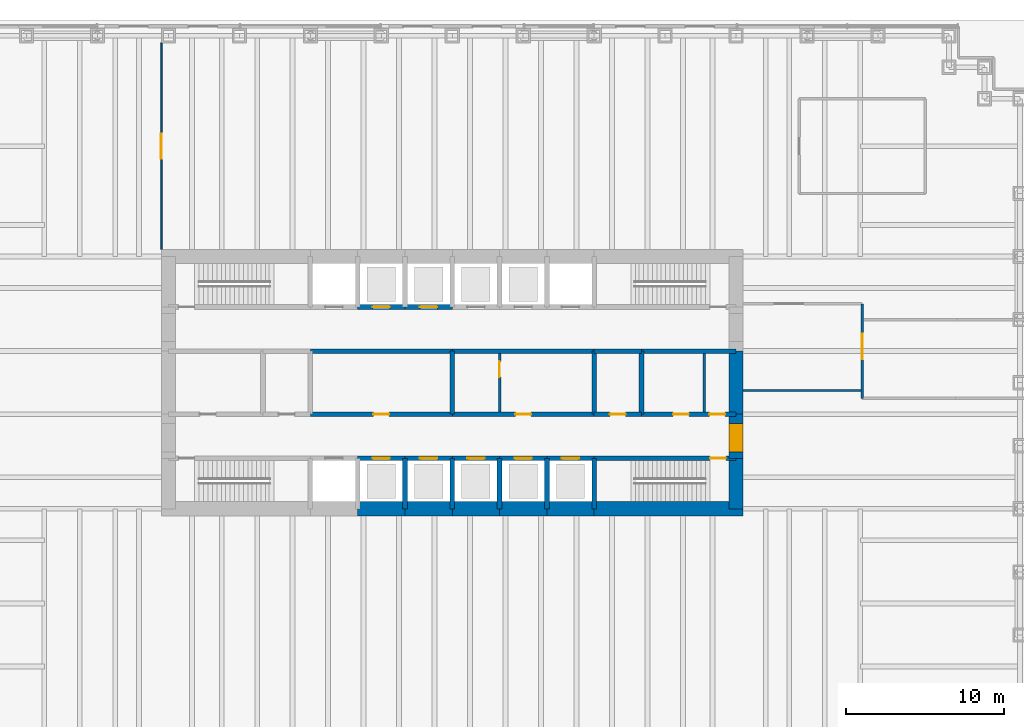
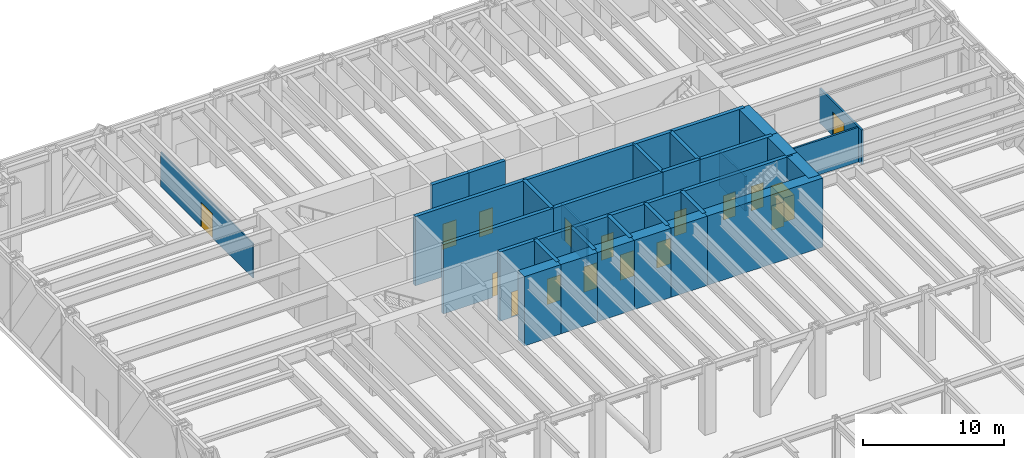
# One storey, part 13 of 17: 38 walls, 17 doors, 17 openings.
"""IFC4 building model written with IfcOpenShell, lengths in metres."""

from ifc_helpers import new_model, si_unit, direction, frame, frame_2d, origin, place, context, subcontext, project, spatial, rectangle, extrude, material, layer, layer_set, type_object, element, fill, save


model = new_model("IFC4")

# Units and contexts
model_context = context("Model", 3, precision=1e-05, world=origin(), true_north=direction((0.0, 1.0)))
body_context = subcontext(model_context, "Body", "Model", "MODEL_VIEW")
ifc_project = project(units=[si_unit("LENGTHUNIT", "METRE"), si_unit("AREAUNIT", "SQUARE_METRE"), si_unit("VOLUMEUNIT", "CUBIC_METRE"), si_unit("PLANEANGLEUNIT", "RADIAN"), si_unit("MASSUNIT", "GRAM", prefix="KILO")], contexts=[model_context])

# Site, building, storey
site_placement = place(None, origin())
site = spatial("IfcSite", under=ifc_project, at=site_placement, CompositionType="ELEMENT")
building_placement = place(site_placement, origin())
building = spatial("IfcBuilding", under=site, at=building_placement, Name="Rheinbord Bourse Tower", CompositionType="ELEMENT")
storey_placement = place(building_placement, origin())
storey = spatial("IfcBuildingStorey", under=building, at=storey_placement, Name="L00", CompositionType="ELEMENT", Elevation=0.0)

# Wall, opening, door
ifc_material_1 = material(Name="Concrete C50/60", Category="concrete")
ifc_layer_1 = layer(ifc_material_1, 0.300048828125)
ifc_layer_set_1 = layer_set([ifc_layer_1], Name="CORE INNER WALL 300")
wall_type_1 = type_object("IfcWallType", Name="CORE INNER WALL 300", PredefinedType="SOLIDWALL", material=ifc_layer_set_1)
wall_1_placement = place(storey_placement, frame((30.0, 19.199951171875, 0.0), z_axis=(0.0, 0.0, 1.0), x_axis=(1.0, 0.0, 0.0)))
wall_1 = element("IfcWall", 1, at=wall_1_placement, inside=storey, type_object=wall_type_1, Name="Core wall A3 L00", PredefinedType="SOLIDWALL", context=body_context, shape_type="SweptSolid", body=[
    extrude(rectangle(XDim=3.0, YDim=0.300048828125, at=frame_2d((1.5, 0.0))), origin(), (0.0, 0.0, 1.0), 6.0),
])
opening_1_placement = place(wall_1_placement, frame((0.949951171875, 0.0, 0.0)))
opening_1 = element("IfcOpeningElement", 2, at=opening_1_placement, cuts=wall_1, Name="Opening PA1", PredefinedType="OPENING", context=body_context, shape_type="SweptSolid", body=[
    extrude(rectangle(XDim=1.10009765625, YDim=2.199951171875, at=frame_2d((0.550048828125, 1.10009765625))), frame((0.0, 0.159912109375, 0.0), z_axis=(0.0, -1.0, 0.0), x_axis=(1.0, 0.0, 0.0)), (0.0, 0.0, 1.0), 0.320068359375),
])
ifc_material_2 = material(Name="Steel landing door", Category="steel")
door_type_1 = type_object("IfcDoorType", Name="LIFT LANDING DOOR 1100", OperationType="DOUBLE_DOOR_SLIDING", PredefinedType="USERDEFINED", material=ifc_material_2)
door_1_placement = place(opening_1_placement, origin())
door_1 = element("IfcDoor", 3, at=door_1_placement, inside=storey, type_object=door_type_1, Name="Lift landing door PA1 L00", ObjectType="LIFT LANDING DOOR", OperationType="DOUBLE_DOOR_SLIDING", OverallHeight=2.199951171875, OverallWidth=1.10009765625, PredefinedType="USERDEFINED", context=body_context, shape_type="SweptSolid", body=[
    extrude(rectangle(XDim=1.10009765625, YDim=2.199951171875, at=frame_2d((0.550048828125, 1.10009765625))), frame((0.0, 0.02490234375, 0.0), z_axis=(0.0, -1.0, 0.0), x_axis=(1.0, 0.0, 0.0)), (0.0, 0.0, 1.0), 0.050048828125),
])
fill(opening_1, door_1)

wall_2_placement = place(storey_placement, frame((33.0, 19.199951171875, 0.0), z_axis=(0.0, 0.0, 1.0), x_axis=(1.0, 0.0, 0.0)))
wall_2 = element("IfcWall", 4, at=wall_2_placement, inside=storey, type_object=wall_type_1, Name="Core wall A4 L00", PredefinedType="SOLIDWALL", context=body_context, shape_type="SweptSolid", body=[
    extrude(rectangle(XDim=3.0, YDim=0.300048828125, at=frame_2d((1.5, 0.0))), origin(), (0.0, 0.0, 1.0), 6.0),
])
opening_2_placement = place(wall_2_placement, frame((0.949951171875, 0.0, 0.0)))
opening_2 = element("IfcOpeningElement", 5, at=opening_2_placement, cuts=wall_2, Name="Opening PA2", PredefinedType="OPENING", context=body_context, shape_type="SweptSolid", body=[
    extrude(rectangle(XDim=1.10009765625, YDim=2.199951171875, at=frame_2d((0.550048828125, 1.10009765625))), frame((0.0, 0.159912109375, 0.0), z_axis=(0.0, -1.0, 0.0), x_axis=(1.0, 0.0, 0.0)), (0.0, 0.0, 1.0), 0.320068359375),
])
door_2_placement = place(opening_2_placement, origin())
door_2 = element("IfcDoor", 6, at=door_2_placement, inside=storey, type_object=door_type_1, Name="Lift landing door PA2 L00", ObjectType="LIFT LANDING DOOR", OperationType="DOUBLE_DOOR_SLIDING", OverallHeight=2.199951171875, OverallWidth=1.10009765625, PredefinedType="USERDEFINED", context=body_context, shape_type="SweptSolid", body=[
    extrude(rectangle(XDim=1.10009765625, YDim=2.199951171875, at=frame_2d((0.550048828125, 1.10009765625))), frame((0.0, 0.02490234375, 0.0), z_axis=(0.0, -1.0, 0.0), x_axis=(1.0, 0.0, 0.0)), (0.0, 0.0, 1.0), 0.050048828125),
])
fill(opening_2, door_2)

wall_3_placement = place(storey_placement, frame((36.0, 19.199951171875, 0.0), z_axis=(0.0, 0.0, 1.0), x_axis=(1.0, 0.0, 0.0)))
wall_3 = element("IfcWall", 7, at=wall_3_placement, inside=storey, type_object=wall_type_1, Name="Core wall A5 L00", PredefinedType="SOLIDWALL", context=body_context, shape_type="SweptSolid", body=[
    extrude(rectangle(XDim=3.0, YDim=0.300048828125, at=frame_2d((1.5, 0.0))), origin(), (0.0, 0.0, 1.0), 6.0),
])
opening_3_placement = place(wall_3_placement, frame((0.949951171875, 0.0, 0.0)))
opening_3 = element("IfcOpeningElement", 8, at=opening_3_placement, cuts=wall_3, Name="Opening PA3", PredefinedType="OPENING", context=body_context, shape_type="SweptSolid", body=[
    extrude(rectangle(XDim=1.10009765625, YDim=2.199951171875, at=frame_2d((0.550048828125, 1.10009765625))), frame((0.0, 0.159912109375, 0.0), z_axis=(0.0, -1.0, 0.0), x_axis=(1.0, 0.0, 0.0)), (0.0, 0.0, 1.0), 0.320068359375),
])
door_3_placement = place(opening_3_placement, origin())
door_3 = element("IfcDoor", 9, at=door_3_placement, inside=storey, type_object=door_type_1, Name="Lift landing door PA3 L00", ObjectType="LIFT LANDING DOOR", OperationType="DOUBLE_DOOR_SLIDING", OverallHeight=2.199951171875, OverallWidth=1.10009765625, PredefinedType="USERDEFINED", context=body_context, shape_type="SweptSolid", body=[
    extrude(rectangle(XDim=1.10009765625, YDim=2.199951171875, at=frame_2d((0.550048828125, 1.10009765625))), frame((0.0, 0.02490234375, 0.0), z_axis=(0.0, -1.0, 0.0), x_axis=(1.0, 0.0, 0.0)), (0.0, 0.0, 1.0), 0.050048828125),
])
fill(opening_3, door_3)

wall_4_placement = place(storey_placement, frame((39.0, 19.199951171875, 0.0), z_axis=(0.0, 0.0, 1.0), x_axis=(1.0, 0.0, 0.0)))
wall_4 = element("IfcWall", 10, at=wall_4_placement, inside=storey, type_object=wall_type_1, Name="Core wall A6 L00", PredefinedType="SOLIDWALL", context=body_context, shape_type="SweptSolid", body=[
    extrude(rectangle(XDim=3.0, YDim=0.300048828125, at=frame_2d((1.5, 0.0))), origin(), (0.0, 0.0, 1.0), 6.0),
])
opening_4_placement = place(wall_4_placement, frame((0.949951171875, 0.0, 0.0)))
opening_4 = element("IfcOpeningElement", 11, at=opening_4_placement, cuts=wall_4, Name="Opening SL1", PredefinedType="OPENING", context=body_context, shape_type="SweptSolid", body=[
    extrude(rectangle(XDim=1.10009765625, YDim=2.199951171875, at=frame_2d((0.550048828125, 1.10009765625))), frame((0.0, 0.159912109375, 0.0), z_axis=(0.0, -1.0, 0.0), x_axis=(1.0, 0.0, 0.0)), (0.0, 0.0, 1.0), 0.320068359375),
])
door_4_placement = place(opening_4_placement, origin())
door_4 = element("IfcDoor", 12, at=door_4_placement, inside=storey, type_object=door_type_1, Name="Lift landing door SL1 L00", ObjectType="LIFT LANDING DOOR", OperationType="DOUBLE_DOOR_SLIDING", OverallHeight=2.199951171875, OverallWidth=1.10009765625, PredefinedType="USERDEFINED", context=body_context, shape_type="SweptSolid", body=[
    extrude(rectangle(XDim=1.10009765625, YDim=2.199951171875, at=frame_2d((0.550048828125, 1.10009765625))), frame((0.0, 0.02490234375, 0.0), z_axis=(0.0, -1.0, 0.0), x_axis=(1.0, 0.0, 0.0)), (0.0, 0.0, 1.0), 0.050048828125),
])
fill(opening_4, door_4)

wall_5_placement = place(storey_placement, frame((42.0, 19.199951171875, 0.0), z_axis=(0.0, 0.0, 1.0), x_axis=(1.0, 0.0, 0.0)))
wall_5 = element("IfcWall", 13, at=wall_5_placement, inside=storey, type_object=wall_type_1, Name="Core wall A7 L00", PredefinedType="SOLIDWALL", context=body_context, shape_type="SweptSolid", body=[
    extrude(rectangle(XDim=3.0, YDim=0.300048828125, at=frame_2d((1.5, 0.0))), origin(), (0.0, 0.0, 1.0), 6.0),
])
opening_5_placement = place(wall_5_placement, frame((0.949951171875, 0.0, 0.0)))
opening_5 = element("IfcOpeningElement", 14, at=opening_5_placement, cuts=wall_5, Name="Opening SL2", PredefinedType="OPENING", context=body_context, shape_type="SweptSolid", body=[
    extrude(rectangle(XDim=1.10009765625, YDim=2.199951171875, at=frame_2d((0.550048828125, 1.10009765625))), frame((0.0, 0.159912109375, 0.0), z_axis=(0.0, -1.0, 0.0), x_axis=(1.0, 0.0, 0.0)), (0.0, 0.0, 1.0), 0.320068359375),
])
door_5_placement = place(opening_5_placement, origin())
door_5 = element("IfcDoor", 15, at=door_5_placement, inside=storey, type_object=door_type_1, Name="Lift landing door SL2 L00", ObjectType="LIFT LANDING DOOR", OperationType="DOUBLE_DOOR_SLIDING", OverallHeight=2.199951171875, OverallWidth=1.10009765625, PredefinedType="USERDEFINED", context=body_context, shape_type="SweptSolid", body=[
    extrude(rectangle(XDim=1.10009765625, YDim=2.199951171875, at=frame_2d((0.550048828125, 1.10009765625))), frame((0.0, 0.02490234375, 0.0), z_axis=(0.0, -1.0, 0.0), x_axis=(1.0, 0.0, 0.0)), (0.0, 0.0, 1.0), 0.050048828125),
])
fill(opening_5, door_5)

wall_6_placement = place(storey_placement, frame((45.0, 19.199951171875, 0.0), z_axis=(0.0, 0.0, 1.0), x_axis=(1.0, 0.0, 0.0)))
wall_6 = element("IfcWall", 16, at=wall_6_placement, inside=storey, type_object=wall_type_1, Name="Core wall A8 L00", PredefinedType="SOLIDWALL", context=body_context, shape_type="SweptSolid", body=[
    extrude(rectangle(XDim=9.0, YDim=0.300048828125, at=frame_2d((4.5, 0.0))), origin(), (0.0, 0.0, 1.0), 6.0),
])
opening_6_placement = place(wall_6_placement, frame((7.35009765625, 0.0, 0.0)))
opening_6 = element("IfcOpeningElement", 17, at=opening_6_placement, cuts=wall_6, Name="Opening 0030", PredefinedType="OPENING", context=body_context, shape_type="SweptSolid", body=[
    extrude(rectangle(XDim=1.0, YDim=2.10009765625, at=frame_2d((0.5, 1.050048828125))), frame((0.0, 0.159912109375, 0.0), z_axis=(0.0, -1.0, 0.0), x_axis=(1.0, 0.0, 0.0)), (0.0, 0.0, 1.0), 0.320068359375),
])
ifc_material_3 = material(Name="Steel door", Category="steel")
door_type_2 = type_object("IfcDoorType", Name="DOOR 1000 EI30", OperationType="SINGLE_SWING_LEFT", PredefinedType="DOOR", material=ifc_material_3)
door_6_placement = place(opening_6_placement, origin())
door_6 = element("IfcDoor", 18, at=door_6_placement, inside=storey, type_object=door_type_2, Name="Stair door ST3 L00", OperationType="SINGLE_SWING_RIGHT", OverallHeight=2.10009765625, OverallWidth=1.0, PredefinedType="DOOR", context=body_context, shape_type="SweptSolid", body=[
    extrude(rectangle(XDim=1.0, YDim=2.10009765625, at=frame_2d((0.5, 1.050048828125))), frame((0.0, 0.02490234375, 0.0), z_axis=(0.0, -1.0, 0.0), x_axis=(1.0, 0.0, 0.0)), (0.0, 0.0, 1.0), 0.050048828125),
])
fill(opening_6, door_6)

wall_7_placement = place(storey_placement, frame((30.0, 28.800048828125, 0.0), z_axis=(0.0, 0.0, 1.0), x_axis=(1.0, 0.0, 0.0)))
wall_7 = element("IfcWall", 19, at=wall_7_placement, inside=storey, type_object=wall_type_1, Name="Core wall B3 L00", PredefinedType="SOLIDWALL", context=body_context, shape_type="SweptSolid", body=[
    extrude(rectangle(XDim=3.0, YDim=0.300048828125, at=frame_2d((1.5, 0.0))), origin(), (0.0, 0.0, 1.0), 6.0),
])
opening_7_placement = place(wall_7_placement, frame((0.949951171875, 0.0, 0.0)))
opening_7 = element("IfcOpeningElement", 20, at=opening_7_placement, cuts=wall_7, Name="Opening PA4", PredefinedType="OPENING", context=body_context, shape_type="SweptSolid", body=[
    extrude(rectangle(XDim=1.10009765625, YDim=2.199951171875, at=frame_2d((0.550048828125, 1.10009765625))), frame((0.0, 0.159912109375, 0.0), z_axis=(0.0, -1.0, 0.0), x_axis=(1.0, 0.0, 0.0)), (0.0, 0.0, 1.0), 0.320068359375),
])
door_7_placement = place(opening_7_placement, origin())
door_7 = element("IfcDoor", 21, at=door_7_placement, inside=storey, type_object=door_type_1, Name="Lift landing door PA4 L00", ObjectType="LIFT LANDING DOOR", OperationType="DOUBLE_DOOR_SLIDING", OverallHeight=2.199951171875, OverallWidth=1.10009765625, PredefinedType="USERDEFINED", context=body_context, shape_type="SweptSolid", body=[
    extrude(rectangle(XDim=1.10009765625, YDim=2.199951171875, at=frame_2d((0.550048828125, 1.10009765625))), frame((0.0, 0.02490234375, 0.0), z_axis=(0.0, -1.0, 0.0), x_axis=(1.0, 0.0, 0.0)), (0.0, 0.0, 1.0), 0.050048828125),
])
fill(opening_7, door_7)

wall_8_placement = place(storey_placement, frame((33.0, 28.800048828125, 0.0), z_axis=(0.0, 0.0, 1.0), x_axis=(1.0, 0.0, 0.0)))
wall_8 = element("IfcWall", 22, at=wall_8_placement, inside=storey, type_object=wall_type_1, Name="Core wall B4 L00", PredefinedType="SOLIDWALL", context=body_context, shape_type="SweptSolid", body=[
    extrude(rectangle(XDim=3.0, YDim=0.300048828125, at=frame_2d((1.5, 0.0))), origin(), (0.0, 0.0, 1.0), 6.0),
])
opening_8_placement = place(wall_8_placement, frame((0.949951171875, 0.0, 0.0)))
opening_8 = element("IfcOpeningElement", 23, at=opening_8_placement, cuts=wall_8, Name="Opening PA5", PredefinedType="OPENING", context=body_context, shape_type="SweptSolid", body=[
    extrude(rectangle(XDim=1.10009765625, YDim=2.199951171875, at=frame_2d((0.550048828125, 1.10009765625))), frame((0.0, 0.159912109375, 0.0), z_axis=(0.0, -1.0, 0.0), x_axis=(1.0, 0.0, 0.0)), (0.0, 0.0, 1.0), 0.320068359375),
])
door_8_placement = place(opening_8_placement, origin())
door_8 = element("IfcDoor", 24, at=door_8_placement, inside=storey, type_object=door_type_1, Name="Lift landing door PA5 L00", ObjectType="LIFT LANDING DOOR", OperationType="DOUBLE_DOOR_SLIDING", OverallHeight=2.199951171875, OverallWidth=1.10009765625, PredefinedType="USERDEFINED", context=body_context, shape_type="SweptSolid", body=[
    extrude(rectangle(XDim=1.10009765625, YDim=2.199951171875, at=frame_2d((0.550048828125, 1.10009765625))), frame((0.0, 0.02490234375, 0.0), z_axis=(0.0, -1.0, 0.0), x_axis=(1.0, 0.0, 0.0)), (0.0, 0.0, 1.0), 0.050048828125),
])
fill(opening_8, door_8)

wall_9_placement = place(storey_placement, frame((27.0, 22.0, 0.0), z_axis=(0.0, 0.0, 1.0), x_axis=(1.0, 0.0, 0.0)))
wall_9 = element("IfcWall", 25, at=wall_9_placement, inside=storey, type_object=wall_type_1, Name="Core wall C3 L00", PredefinedType="SOLIDWALL", context=body_context, shape_type="SweptSolid", body=[
    extrude(rectangle(XDim=9.0, YDim=0.300048828125, at=frame_2d((4.5, 0.0))), origin(), (0.0, 0.0, 1.0), 6.0),
])
opening_9_placement = place(wall_9_placement, frame((4.0, 0.0, 0.0)))
opening_9 = element("IfcOpeningElement", 26, at=opening_9_placement, cuts=wall_9, Name="Opening 00R3", PredefinedType="OPENING", context=body_context, shape_type="SweptSolid", body=[
    extrude(rectangle(XDim=1.0, YDim=2.10009765625, at=frame_2d((0.5, 1.050048828125))), frame((0.0, 0.159912109375, 0.0), z_axis=(0.0, -1.0, 0.0), x_axis=(1.0, 0.0, 0.0)), (0.0, 0.0, 1.0), 0.320068359375),
])
door_9_placement = place(opening_9_placement, origin())
door_9 = element("IfcDoor", 27, at=door_9_placement, inside=storey, type_object=door_type_2, Name="Riser door L00", OperationType="SINGLE_SWING_LEFT", OverallHeight=2.10009765625, OverallWidth=1.0, PredefinedType="DOOR", context=body_context, shape_type="SweptSolid", body=[
    extrude(rectangle(XDim=1.0, YDim=2.10009765625, at=frame_2d((0.5, 1.050048828125))), frame((0.0, 0.02490234375, 0.0), z_axis=(0.0, -1.0, 0.0), x_axis=(1.0, 0.0, 0.0)), (0.0, 0.0, 1.0), 0.050048828125),
])
fill(opening_9, door_9)

wall_10_placement = place(storey_placement, frame((36.0, 22.0, 0.0), z_axis=(0.0, 0.0, 1.0), x_axis=(1.0, 0.0, 0.0)))
wall_10 = element("IfcWall", 28, at=wall_10_placement, inside=storey, type_object=wall_type_1, Name="Core wall C4 L00", PredefinedType="SOLIDWALL", context=body_context, shape_type="SweptSolid", body=[
    extrude(rectangle(XDim=9.0, YDim=0.300048828125, at=frame_2d((4.5, 0.0))), origin(), (0.0, 0.0, 1.0), 6.0),
])
opening_10_placement = place(wall_10_placement, frame((4.0, 0.0, 0.0)))
opening_10 = element("IfcOpeningElement", 29, at=opening_10_placement, cuts=wall_10, Name="Opening 00R4", PredefinedType="OPENING", context=body_context, shape_type="SweptSolid", body=[
    extrude(rectangle(XDim=1.0, YDim=2.10009765625, at=frame_2d((0.5, 1.050048828125))), frame((0.0, 0.159912109375, 0.0), z_axis=(0.0, -1.0, 0.0), x_axis=(1.0, 0.0, 0.0)), (0.0, 0.0, 1.0), 0.320068359375),
])
door_10_placement = place(opening_10_placement, origin())
door_10 = element("IfcDoor", 30, at=door_10_placement, inside=storey, type_object=door_type_2, Name="Pantry door L00", OperationType="SINGLE_SWING_LEFT", OverallHeight=2.10009765625, OverallWidth=1.0, PredefinedType="DOOR", context=body_context, shape_type="SweptSolid", body=[
    extrude(rectangle(XDim=1.0, YDim=2.10009765625, at=frame_2d((0.5, 1.050048828125))), frame((0.0, 0.02490234375, 0.0), z_axis=(0.0, -1.0, 0.0), x_axis=(1.0, 0.0, 0.0)), (0.0, 0.0, 1.0), 0.050048828125),
])
fill(opening_10, door_10)

wall_11_placement = place(storey_placement, frame((45.0, 22.0, 0.0), z_axis=(0.0, 0.0, 1.0), x_axis=(1.0, 0.0, 0.0)))
wall_11 = element("IfcWall", 31, at=wall_11_placement, inside=storey, type_object=wall_type_1, Name="Core wall C5 L00", PredefinedType="SOLIDWALL", context=body_context, shape_type="SweptSolid", body=[
    extrude(rectangle(XDim=3.0, YDim=0.300048828125, at=frame_2d((1.5, 0.0))), origin(), (0.0, 0.0, 1.0), 6.0),
])
opening_11_placement = place(wall_11_placement, frame((1.0, 0.0, 0.0)))
opening_11 = element("IfcOpeningElement", 32, at=opening_11_placement, cuts=wall_11, Name="Opening 00R5", PredefinedType="OPENING", context=body_context, shape_type="SweptSolid", body=[
    extrude(rectangle(XDim=1.0, YDim=2.10009765625, at=frame_2d((0.5, 1.050048828125))), frame((0.0, 0.159912109375, 0.0), z_axis=(0.0, -1.0, 0.0), x_axis=(1.0, 0.0, 0.0)), (0.0, 0.0, 1.0), 0.320068359375),
])
ifc_material_4 = material(Name="Timber door", Category="wood")
door_type_3 = type_object("IfcDoorType", Name="DOOR 1000 WC", OperationType="SINGLE_SWING_LEFT", PredefinedType="DOOR", material=ifc_material_4)
door_11_placement = place(opening_11_placement, origin())
door_11 = element("IfcDoor", 33, at=door_11_placement, inside=storey, type_object=door_type_3, Name="Accessible WC door L00", OperationType="SINGLE_SWING_LEFT", OverallHeight=2.10009765625, OverallWidth=1.0, PredefinedType="DOOR", context=body_context, shape_type="SweptSolid", body=[
    extrude(rectangle(XDim=1.0, YDim=2.10009765625, at=frame_2d((0.5, 1.050048828125))), frame((0.0, 0.02490234375, 0.0), z_axis=(0.0, -1.0, 0.0), x_axis=(1.0, 0.0, 0.0)), (0.0, 0.0, 1.0), 0.050048828125),
])
fill(opening_11, door_11)

# Wall, openings, doors
wall_12_placement = place(storey_placement, frame((48.0, 22.0, 0.0), z_axis=(0.0, 0.0, 1.0), x_axis=(1.0, 0.0, 0.0)))
wall_12 = element("IfcWall", 34, at=wall_12_placement, inside=storey, type_object=wall_type_1, Name="Core wall C6 L00", PredefinedType="SOLIDWALL", context=body_context, shape_type="SweptSolid", body=[
    extrude(rectangle(XDim=6.0, YDim=0.300048828125, at=frame_2d((3.0, 0.0))), origin(), (0.0, 0.0, 1.0), 6.0),
])
opening_12_placement = place(wall_12_placement, frame((2.0, 0.0, 0.0)))
opening_12 = element("IfcOpeningElement", 35, at=opening_12_placement, cuts=wall_12, Name="Opening 00R6", PredefinedType="OPENING", context=body_context, shape_type="SweptSolid", body=[
    extrude(rectangle(XDim=1.0, YDim=2.10009765625, at=frame_2d((0.5, 1.050048828125))), frame((0.0, 0.159912109375, 0.0), z_axis=(0.0, -1.0, 0.0), x_axis=(1.0, 0.0, 0.0)), (0.0, 0.0, 1.0), 0.320068359375),
])
opening_13_placement = place(wall_12_placement, frame((4.300048828125, 0.0, 0.0)))
opening_13 = element("IfcOpeningElement", 36, at=opening_13_placement, cuts=wall_12, Name="Opening 00R10", PredefinedType="OPENING", context=body_context, shape_type="SweptSolid", body=[
    extrude(rectangle(XDim=1.0, YDim=2.10009765625, at=frame_2d((0.5, 1.050048828125))), frame((0.0, 0.159912109375, 0.0), z_axis=(0.0, -1.0, 0.0), x_axis=(1.0, 0.0, 0.0)), (0.0, 0.0, 1.0), 0.320068359375),
])
door_12_placement = place(opening_13_placement, origin())
door_12 = element("IfcDoor", 37, at=door_12_placement, inside=storey, type_object=door_type_2, Name="Baby change door L00", OperationType="SINGLE_SWING_RIGHT", OverallHeight=2.10009765625, OverallWidth=1.0, PredefinedType="DOOR", context=body_context, shape_type="SweptSolid", body=[
    extrude(rectangle(XDim=1.0, YDim=2.10009765625, at=frame_2d((0.5, 1.050048828125))), frame((0.0, 0.02490234375, 0.0), z_axis=(0.0, -1.0, 0.0), x_axis=(1.0, 0.0, 0.0)), (0.0, 0.0, 1.0), 0.050048828125),
])
fill(opening_13, door_12)
door_13_placement = place(opening_12_placement, origin())
door_13 = element("IfcDoor", 38, at=door_13_placement, inside=storey, type_object=door_type_3, Name="WC women door L00", OperationType="SINGLE_SWING_LEFT", OverallHeight=2.10009765625, OverallWidth=1.0, PredefinedType="DOOR", context=body_context, shape_type="SweptSolid", body=[
    extrude(rectangle(XDim=1.0, YDim=2.10009765625, at=frame_2d((0.5, 1.050048828125))), frame((0.0, 0.02490234375, 0.0), z_axis=(0.0, -1.0, 0.0), x_axis=(1.0, 0.0, 0.0)), (0.0, 0.0, 1.0), 0.050048828125),
])
fill(opening_12, door_13)

# Walls
for number, where, z_axis, x_axis, name in (
    (39, (27.0, 26.0, 0.0), (0.0, 0.0, 1.0), (1.0, 0.0, 0.0), "Core wall D3 L00"),
    (40, (36.0, 26.0, 0.0), (0.0, 0.0, 1.0), (1.0, 0.0, 0.0), "Core wall D4 L00"),
):
    element("IfcWall", number, at=place(storey_placement, frame(where, z_axis=z_axis, x_axis=x_axis)), inside=storey, type_object=wall_type_1, Name=name, PredefinedType="SOLIDWALL", context=body_context, shape_type="SweptSolid", body=[
        extrude(rectangle(XDim=9.0, YDim=0.300048828125, at=frame_2d((4.5, 0.0))), origin(), (0.0, 0.0, 1.0), 6.0),
    ])
wall_13_placement = place(storey_placement, frame((45.0, 26.0, 0.0), z_axis=(0.0, 0.0, 1.0), x_axis=(1.0, 0.0, 0.0)))
element("IfcWall", 41, at=wall_13_placement, inside=storey, type_object=wall_type_1, Name="Core wall D5 L00", PredefinedType="SOLIDWALL", context=body_context, shape_type="SweptSolid", body=[
    extrude(rectangle(XDim=3.0, YDim=0.300048828125, at=frame_2d((1.5, 0.0))), origin(), (0.0, 0.0, 1.0), 6.0),
])
wall_14_placement = place(storey_placement, frame((48.0, 26.0, 0.0), z_axis=(0.0, 0.0, 1.0), x_axis=(1.0, 0.0, 0.0)))
element("IfcWall", 42, at=wall_14_placement, inside=storey, type_object=wall_type_1, Name="Core wall D6 L00", PredefinedType="SOLIDWALL", context=body_context, shape_type="SweptSolid", body=[
    extrude(rectangle(XDim=6.0, YDim=0.300048828125, at=frame_2d((3.0, 0.0))), origin(), (0.0, 0.0, 1.0), 6.0),
])
for number, where, z_axis, x_axis, name in (
    (43, (33.0, 16.0, 0.0), (0.0, 0.0, 1.0), (0.0, 1.0, 0.0), "Core wall SX33 L00"),
    (44, (36.0, 16.0, 0.0), (0.0, 0.0, 1.0), (0.0, 1.0, 0.0), "Core wall SX36 L00"),
    (45, (39.0, 16.0, 0.0), (0.0, 0.0, 1.0), (0.0, 1.0, 0.0), "Core wall SX39 L00"),
    (46, (42.0, 16.0, 0.0), (0.0, 0.0, 1.0), (0.0, 1.0, 0.0), "Core wall SX42 L00"),
    (47, (45.0, 16.0, 0.0), (0.0, 0.0, 1.0), (0.0, 1.0, 0.0), "Core wall SX45 L00"),
):
    element("IfcWall", number, at=place(storey_placement, frame(where, z_axis=z_axis, x_axis=x_axis)), inside=storey, type_object=wall_type_1, Name=name, PredefinedType="SOLIDWALL", context=body_context, shape_type="SweptSolid", body=[
        extrude(rectangle(XDim=3.199951171875, YDim=0.300048828125, at=frame_2d((1.60009765625, 0.0))), origin(), (0.0, 0.0, 1.0), 6.0),
    ])
for number, where, z_axis, x_axis, name in (
    (48, (36.0, 22.0, 0.0), (0.0, 0.0, 1.0), (0.0, 1.0, 0.0), "Core wall MX36 L00"),
    (49, (45.0, 22.0, 0.0), (0.0, 0.0, 1.0), (0.0, 1.0, 0.0), "Core wall MX45 L00"),
    (50, (48.0, 22.0, 0.0), (0.0, 0.0, 1.0), (0.0, 1.0, 0.0), "Core wall MX48 L00"),
):
    element("IfcWall", number, at=place(storey_placement, frame(where, z_axis=z_axis, x_axis=x_axis)), inside=storey, type_object=wall_type_1, Name=name, PredefinedType="SOLIDWALL", context=body_context, shape_type="SweptSolid", body=[
        extrude(rectangle(XDim=4.0, YDim=0.300048828125, at=frame_2d((2.0, 0.0))), origin(), (0.0, 0.0, 1.0), 6.0),
    ])

# Wall, opening, door
ifc_material_5 = material(Name="Gypsum board fire partition", Category="gypsum board")
ifc_layer_2 = layer(ifc_material_5, 0.14990234375)
ifc_layer_set_2 = layer_set([ifc_layer_2], Name="CORE PARTITION 150 EI30")
wall_type_2 = type_object("IfcWallType", Name="CORE PARTITION 150 EI30", PredefinedType="PARTITIONING", material=ifc_layer_set_2)
wall_15_placement = place(storey_placement, frame((39.0, 22.14990234375, 0.0), z_axis=(0.0, 0.0, 1.0), x_axis=(0.0, 1.0, 0.0)))
wall_15 = element("IfcWall", 51, at=wall_15_placement, inside=storey, type_object=wall_type_2, Name="Core partition L00-1", PredefinedType="PARTITIONING", context=body_context, shape_type="SweptSolid", body=[
    extrude(rectangle(XDim=3.7001953125, YDim=0.14990234375, at=frame_2d((1.85009765625, 0.0))), origin(), (0.0, 0.0, 1.0), 3.0),
])
opening_14_placement = place(wall_15_placement, frame((2.199951171875, 0.0, 0.0)))
opening_14 = element("IfcOpeningElement", 52, at=opening_14_placement, cuts=wall_15, Name="Opening 00R7", PredefinedType="OPENING", context=body_context, shape_type="SweptSolid", body=[
    extrude(rectangle(XDim=1.0, YDim=2.10009765625, at=frame_2d((0.5, 1.050048828125))), frame((0.0, 0.0849609375, 0.0), z_axis=(0.0, -1.0, 0.0), x_axis=(1.0, 0.0, 0.0)), (0.0, 0.0, 1.0), 0.169921875),
])
door_14_placement = place(opening_14_placement, origin())
door_14 = element("IfcDoor", 53, at=door_14_placement, inside=storey, type_object=door_type_2, Name="Cleaner's store door L00", OperationType="SINGLE_SWING_RIGHT", OverallHeight=2.10009765625, OverallWidth=1.0, PredefinedType="DOOR", context=body_context, shape_type="SweptSolid", body=[
    extrude(rectangle(XDim=1.0, YDim=2.10009765625, at=frame_2d((0.5, 1.050048828125))), frame((0.0, 0.02490234375, 0.0), z_axis=(0.0, -1.0, 0.0), x_axis=(1.0, 0.0, 0.0)), (0.0, 0.0, 1.0), 0.050048828125),
])
fill(opening_14, door_14)

# Walls
wall_16_placement = place(storey_placement, frame((51.97509765625, 22.14990234375, 0.0), z_axis=(0.0, 0.0, 1.0), x_axis=(0.0, 1.0, 0.0)))
element("IfcWall", 54, at=wall_16_placement, inside=storey, type_object=wall_type_2, Name="Core partition L00-3", PredefinedType="PARTITIONING", context=body_context, shape_type="SweptSolid", body=[
    extrude(rectangle(XDim=3.7001953125, YDim=0.14990234375, at=frame_2d((1.85009765625, 0.0))), origin(), (0.0, 0.0, 1.0), 3.0),
])
ifc_material_6 = material(Name="Concrete C50/60", Category="concrete")
ifc_layer_3 = layer(ifc_material_6, 0.89990234375)
ifc_layer_set_3 = layer_set([ifc_layer_3], Name="CORE WALL 900")
wall_type_3 = type_object("IfcWallType", Name="CORE WALL 900", PredefinedType="SHEAR", material=ifc_layer_set_3)
for number, where, z_axis, x_axis, name in (
    (55, (30.0, 16.0, 0.0), (0.0, 0.0, 1.0), (1.0, 0.0, 0.0), "Core wall S3 L00"),
    (56, (33.0, 16.0, 0.0), (0.0, 0.0, 1.0), (1.0, 0.0, 0.0), "Core wall S4 L00"),
    (57, (36.0, 16.0, 0.0), (0.0, 0.0, 1.0), (1.0, 0.0, 0.0), "Core wall S5 L00"),
    (58, (39.0, 16.0, 0.0), (0.0, 0.0, 1.0), (1.0, 0.0, 0.0), "Core wall S6 L00"),
    (59, (42.0, 16.0, 0.0), (0.0, 0.0, 1.0), (1.0, 0.0, 0.0), "Core wall S7 L00"),
):
    element("IfcWall", number, at=place(storey_placement, frame(where, z_axis=z_axis, x_axis=x_axis)), inside=storey, type_object=wall_type_3, Name=name, PredefinedType="SHEAR", context=body_context, shape_type="SweptSolid", body=[
        extrude(rectangle(XDim=3.0, YDim=0.89990234375, at=frame_2d((1.5, 0.0))), origin(), (0.0, 0.0, 1.0), 6.0),
    ])
wall_17_placement = place(storey_placement, frame((45.0, 16.0, 0.0), z_axis=(0.0, 0.0, 1.0), x_axis=(1.0, 0.0, 0.0)))
element("IfcWall", 60, at=wall_17_placement, inside=storey, type_object=wall_type_3, Name="Core wall S8 L00", PredefinedType="SHEAR", context=body_context, shape_type="SweptSolid", body=[
    extrude(rectangle(XDim=9.449951171875, YDim=0.89990234375, at=frame_2d((4.72509765625, 0.0))), origin(), (0.0, 0.0, 1.0), 6.0),
])
wall_18_placement = place(storey_placement, frame((54.0, 16.0, 0.0), z_axis=(0.0, 0.0, 1.0), x_axis=(0.0, 1.0, 0.0)))
element("IfcWall", 61, at=wall_18_placement, inside=storey, type_object=wall_type_3, Name="Core wall E1 L00", PredefinedType="SHEAR", context=body_context, shape_type="SweptSolid", body=[
    extrude(rectangle(XDim=3.199951171875, YDim=0.89990234375, at=frame_2d((1.60009765625, 0.0))), origin(), (0.0, 0.0, 1.0), 6.0),
])

# Wall, opening, door
wall_19_placement = place(storey_placement, frame((54.0, 19.199951171875, 0.0), z_axis=(0.0, 0.0, 1.0), x_axis=(0.0, 1.0, 0.0)))
wall_19 = element("IfcWall", 62, at=wall_19_placement, inside=storey, type_object=wall_type_3, Name="Core wall E2 L00", PredefinedType="SHEAR", context=body_context, shape_type="SweptSolid", body=[
    extrude(rectangle(XDim=2.800048828125, YDim=0.89990234375, at=frame_2d((1.39990234375, 0.0))), origin(), (0.0, 0.0, 1.0), 6.0),
])
opening_15_placement = place(wall_19_placement, frame((0.39990234375, 0.0, 0.0)))
opening_15 = element("IfcOpeningElement", 63, at=opening_15_placement, cuts=wall_19, Name="Opening 00L3", PredefinedType="OPENING", context=body_context, shape_type="SweptSolid", body=[
    extrude(rectangle(XDim=1.800048828125, YDim=2.10009765625, at=frame_2d((0.89990234375, 1.050048828125))), frame((0.0, 0.4599609375, 0.0), z_axis=(0.0, -1.0, 0.0), x_axis=(1.0, 0.0, 0.0)), (0.0, 0.0, 1.0), 0.919921875),
])
ifc_material_7 = material(Name="Steel door", Category="steel")
door_type_4 = type_object("IfcDoorType", Name="DOOR 1800 EI30 DOUBLE", OperationType="DOUBLE_DOOR_DOUBLE_SWING", PredefinedType="DOOR", material=ifc_material_7)
door_15_placement = place(opening_15_placement, origin())
door_15 = element("IfcDoor", 64, at=door_15_placement, inside=storey, type_object=door_type_4, Name="Lobby door 3 L00", OperationType="SINGLE_SWING_LEFT", OverallHeight=2.10009765625, OverallWidth=1.800048828125, PredefinedType="DOOR", context=body_context, shape_type="SweptSolid", body=[
    extrude(rectangle(XDim=1.800048828125, YDim=2.10009765625, at=frame_2d((0.89990234375, 1.050048828125))), frame((0.0, 0.44970703125, 0.0), z_axis=(0.0, -1.0, 0.0), x_axis=(1.0, 0.0, 0.0)), (0.0, 0.0, 1.0), 0.8994140625),
])
fill(opening_15, door_15)

# Wall
wall_20_placement = place(storey_placement, frame((54.0, 22.0, 0.0), z_axis=(0.0, 0.0, 1.0), x_axis=(0.0, 1.0, 0.0)))
element("IfcWall", 65, at=wall_20_placement, inside=storey, type_object=wall_type_3, Name="Core wall E3 L00", PredefinedType="SHEAR", context=body_context, shape_type="SweptSolid", body=[
    extrude(rectangle(XDim=4.0, YDim=0.89990234375, at=frame_2d((2.0, 0.0))), origin(), (0.0, 0.0, 1.0), 6.0),
])

# Wall, opening, door
ifc_material_8 = material(Name="Toughened laminated glass partition", Category="glass")
ifc_layer_4 = layer(ifc_material_8, 0.10009765625)
ifc_layer_set_4 = layer_set([ifc_layer_4], Name="GLAZED PARTITION 100")
wall_type_4 = type_object("IfcWallType", Name="GLAZED PARTITION 100", PredefinedType="PARTITIONING", material=ifc_layer_set_4)
wall_21_placement = place(storey_placement, frame((17.550048828125, 32.449951171875, 0.0), z_axis=(0.0, 0.0, 1.0), x_axis=(0.0, 1.0, 0.0)))
wall_21 = element("IfcWall", 66, at=wall_21_placement, inside=storey, type_object=wall_type_4, Name="Exchange cafe screen L00", PredefinedType="PARTITIONING", context=body_context, shape_type="SweptSolid", body=[
    extrude(rectangle(XDim=13.10009765625, YDim=0.10009765625, at=frame_2d((6.550048828125, 0.0))), origin(), (0.0, 0.0, 1.0), 3.0),
])
opening_16_placement = place(wall_21_placement, frame((5.75, 0.0, 0.0)))
opening_16 = element("IfcOpeningElement", 67, at=opening_16_placement, cuts=wall_21, Name="Opening 00G2", PredefinedType="OPENING", context=body_context, shape_type="SweptSolid", body=[
    extrude(rectangle(XDim=1.60009765625, YDim=2.10009765625, at=frame_2d((0.800048828125, 1.050048828125))), frame((0.0, 0.06005859375, 0.0), z_axis=(0.0, -1.0, 0.0), x_axis=(1.0, 0.0, 0.0)), (0.0, 0.0, 1.0), 0.1201171875),
])
ifc_material_9 = material(Name="Timber door", Category="wood")
door_type_5 = type_object("IfcDoorType", Name="DOUBLE ROOM DOOR 1600", OperationType="DOUBLE_DOOR_DOUBLE_SWING", PredefinedType="DOOR", material=ifc_material_9)
door_16_placement = place(opening_16_placement, origin())
door_16 = element("IfcDoor", 68, at=door_16_placement, inside=storey, type_object=door_type_5, Name="Exchange cafe door L00", OperationType="SINGLE_SWING_LEFT", OverallHeight=2.10009765625, OverallWidth=1.60009765625, PredefinedType="DOOR", context=body_context, shape_type="SweptSolid", body=[
    extrude(rectangle(XDim=1.60009765625, YDim=2.10009765625, at=frame_2d((0.800048828125, 1.050048828125))), frame((0.0, 0.02490234375, 0.0), z_axis=(0.0, -1.0, 0.0), x_axis=(1.0, 0.0, 0.0)), (0.0, 0.0, 1.0), 0.050048828125),
])
fill(opening_16, door_16)

ifc_material_10 = material(Name="Gypsum board partition", Category="gypsum board")
ifc_layer_5 = layer(ifc_material_10, 0.14990234375)
ifc_layer_set_5 = layer_set([ifc_layer_5], Name="PARTITION 150")
wall_type_5 = type_object("IfcWallType", Name="PARTITION 150", PredefinedType="PARTITIONING", material=ifc_layer_set_5)
wall_22_placement = place(storey_placement, frame((62.0, 23.0, 0.0), z_axis=(0.0, 0.0, 1.0), x_axis=(0.0, 1.0, 0.0)))
wall_22 = element("IfcWall", 69, at=wall_22_placement, inside=storey, type_object=wall_type_5, Name="Partition goods receipt W L00", PredefinedType="PARTITIONING", context=body_context, shape_type="SweptSolid", body=[
    extrude(rectangle(XDim=6.0, YDim=0.14990234375, at=frame_2d((3.0, 0.0))), origin(), (0.0, 0.0, 1.0), 3.0),
])
opening_17_placement = place(wall_22_placement, frame((2.5, 0.0, 0.0)))
opening_17 = element("IfcOpeningElement", 70, at=opening_17_placement, cuts=wall_22, Name="Opening 00G1", PredefinedType="OPENING", context=body_context, shape_type="SweptSolid", body=[
    extrude(rectangle(XDim=1.60009765625, YDim=2.10009765625, at=frame_2d((0.800048828125, 1.050048828125))), frame((0.0, 0.0849609375, 0.0), z_axis=(0.0, -1.0, 0.0), x_axis=(1.0, 0.0, 0.0)), (0.0, 0.0, 1.0), 0.169921875),
])
door_17_placement = place(opening_17_placement, origin())
door_17 = element("IfcDoor", 71, at=door_17_placement, inside=storey, type_object=door_type_5, Name="Goods receipt door L00", OperationType="SINGLE_SWING_LEFT", OverallHeight=2.10009765625, OverallWidth=1.60009765625, PredefinedType="DOOR", context=body_context, shape_type="SweptSolid", body=[
    extrude(rectangle(XDim=1.60009765625, YDim=2.10009765625, at=frame_2d((0.800048828125, 1.050048828125))), frame((0.0, 0.02490234375, 0.0), z_axis=(0.0, -1.0, 0.0), x_axis=(1.0, 0.0, 0.0)), (0.0, 0.0, 1.0), 0.050048828125),
])
fill(opening_17, door_17)

# Wall
wall_23_placement = place(storey_placement, frame((54.449951171875, 23.5, 0.0), z_axis=(0.0, 0.0, 1.0), x_axis=(1.0, 0.0, 0.0)))
element("IfcWall", 72, at=wall_23_placement, inside=storey, type_object=wall_type_5, Name="Partition goods corridor S L00", PredefinedType="PARTITIONING", context=body_context, shape_type="SweptSolid", body=[
    extrude(rectangle(XDim=7.550048828125, YDim=0.14990234375, at=frame_2d((3.77490234375, 0.0))), origin(), (0.0, 0.0, 1.0), 3.0),
])

save(model, "model.ifc")
